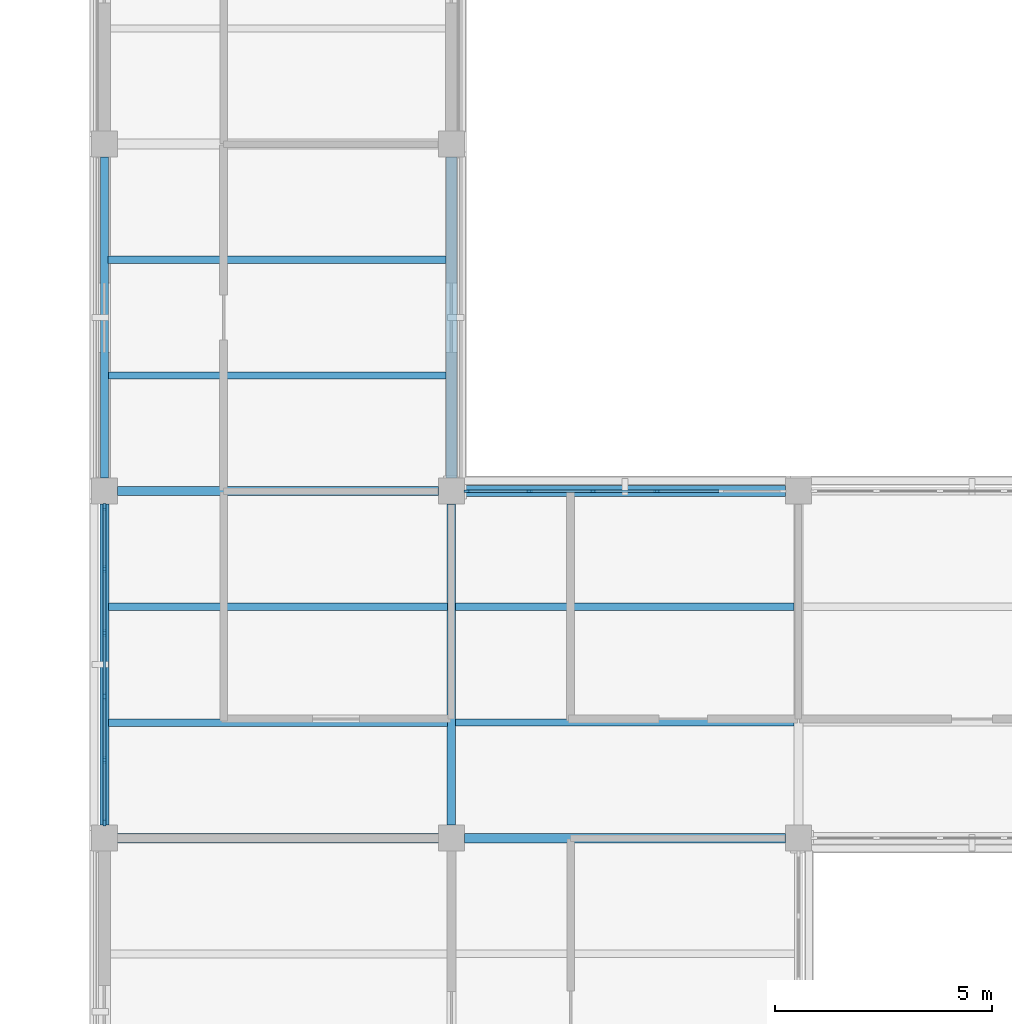
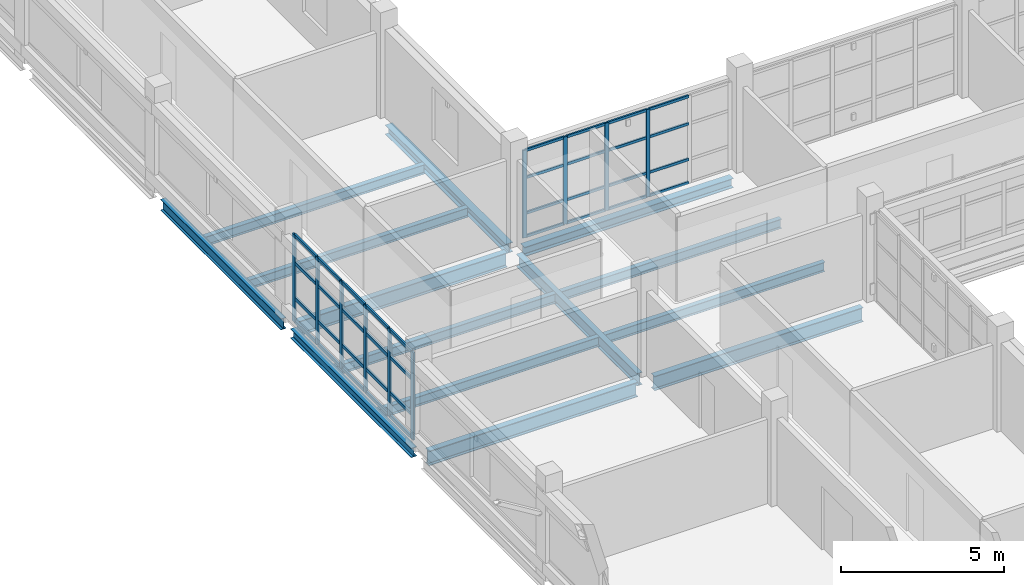
# One storey, part 14 of 126: 46 members, 14 beams, 2 elements without a shape of their own.
"""IFC4 building model written with IfcOpenShell, lengths in metres."""

from ifc_helpers import new_model, si_unit, derived_unit, direction, frame, origin, origin_2d, place, context, subcontext, project, spatial, rectangle, i_section, extrude, material, layer, layer_set, material_profile, profile_set, type_object, element, aggregate, save


model = new_model("IFC4")

# Units and contexts
model_context = context("Model", 3, precision=1e-05, world=origin(), true_north=direction((0.0, 1.0)))
body_context = subcontext(model_context, "Body", "Model", "MODEL_VIEW")
ifc_project = project(units=[si_unit("LENGTHUNIT", "METRE"), si_unit("AREAUNIT", "SQUARE_METRE"), si_unit("VOLUMEUNIT", "CUBIC_METRE"), si_unit("PLANEANGLEUNIT", "RADIAN"), si_unit("MASSUNIT", "GRAM", prefix="KILO"), derived_unit("THERMALTRANSMITTANCEUNIT", [(si_unit("MASSUNIT", "GRAM", prefix="KILO"), 1), (si_unit("TIMEUNIT", "SECOND"), -3), (si_unit("THERMODYNAMICTEMPERATUREUNIT", "KELVIN"), -1)])], contexts=[model_context])

# Site, building, storey
site_placement = place(None, origin())
site = spatial("IfcSite", under=ifc_project, at=site_placement, CompositionType="ELEMENT")
building_placement = place(site_placement, origin())
building = spatial("IfcBuilding", under=site, at=building_placement, Name="Veyamyaing Civic Hall", CompositionType="ELEMENT")
storey_placement = place(building_placement, frame((0.0, 0.0, 9.89990234375)))
storey = spatial("IfcBuildingStorey", under=building, at=storey_placement, Name="L02", CompositionType="ELEMENT", Elevation=9.89990234375)

# Beams
ifc_material_1 = material(Name="Steel ASTM A992", Category="steel")
ifc_material_profile_1 = material_profile(ifc_material_1, i_section(OverallWidth=0.2041015625, OverallDepth=0.35009765625, WebThickness=0.0078125, FlangeThickness=0.01513671875, FilletRadius=0.010009765625, at=origin_2d()), Name="W360X72")
ifc_profile_set_1 = profile_set([ifc_material_profile_1], Name="Steel ASTM A992")
beam_type_1 = type_object("IfcBeamType", Name="B-11", PredefinedType="SPANDREL", material=ifc_profile_set_1)
beam_1_placement = place(storey_placement, frame((0.0, 48.300048828125, -0.4599609375), z_axis=(0.0, 1.0, 0.0), x_axis=(-1.0, 0.0, 0.0)))
element("IfcBeam", 1, at=beam_1_placement, inside=storey, type_object=beam_type_1, Name="Girder B-11 L02 Grid 1 G-H", PredefinedType="SPANDREL", context=body_context, shape_type="SweptSolid", body=[
    extrude(i_section(OverallWidth=0.2041015625, OverallDepth=0.35009765625, WebThickness=0.0078125, FlangeThickness=0.01513671875, FilletRadius=0.010009765625, at=origin_2d()), origin(), (0.0, 0.0, 1.0), 7.39990234375),
])
ifc_material_profile_2 = material_profile(ifc_material_1, i_section(OverallWidth=0.214111328125, OverallDepth=0.549072265625, WebThickness=0.0146484375, FlangeThickness=0.023681640625, FilletRadius=0.011962890625, at=origin_2d()), Name="W530X138")
ifc_profile_set_2 = profile_set([ifc_material_profile_2], Name="Steel ASTM A992")
beam_type_2 = type_object("IfcBeamType", Name="B-16", PredefinedType="BEAM", material=ifc_profile_set_2)
beam_2_placement = place(storey_placement, frame((0.300048828125, 48.0, -0.559326171875), z_axis=(1.0, 0.0, 0.0), x_axis=(0.0, 1.0, 0.0)))
element("IfcBeam", 2, at=beam_2_placement, inside=storey, type_object=beam_type_2, Name="Girder B-16 L02 Grid G 1-2", PredefinedType="BEAM", context=body_context, shape_type="SweptSolid", body=[
    extrude(i_section(OverallWidth=0.214111328125, OverallDepth=0.549072265625, WebThickness=0.0146484375, FlangeThickness=0.023681640625, FilletRadius=0.011962890625, at=origin_2d()), origin(), (0.0, 0.0, 1.0), 7.39990234375),
])
ifc_material_profile_3 = material_profile(ifc_material_1, i_section(OverallWidth=0.2109375, OverallDepth=0.5390625, WebThickness=0.01171875, FlangeThickness=0.018798828125, FilletRadius=0.011962890625, at=origin_2d()), Name="W530X109")
ifc_profile_set_3 = profile_set([ifc_material_profile_3], Name="Steel ASTM A992")
beam_type_3 = type_object("IfcBeamType", Name="B-17", PredefinedType="BEAM", material=ifc_profile_set_3)
for number, where, z_axis, x_axis, name in (
    (3, (8.300048828125, 48.0, -0.554443359375), (1.0, 0.0, 0.0), (0.0, 1.0, 0.0), "Girder B-17 L02 Grid G 2-3"),
    (4, (0.300048828125, 56.0, -0.554443359375), (1.0, 0.0, 0.0), (0.0, 1.0, 0.0), "Girder B-17 L02 Grid H 1-2"),
):
    element("IfcBeam", number, at=place(storey_placement, frame(where, z_axis=z_axis, x_axis=x_axis)), inside=storey, type_object=beam_type_3, Name=name, PredefinedType="BEAM", context=body_context, shape_type="SweptSolid", body=[
        extrude(i_section(OverallWidth=0.2109375, OverallDepth=0.5390625, WebThickness=0.01171875, FlangeThickness=0.018798828125, FilletRadius=0.011962890625, at=origin_2d()), origin(), (0.0, 0.0, 1.0), 7.39990234375),
    ])
ifc_material_profile_4 = material_profile(ifc_material_1, i_section(OverallWidth=0.194091796875, OverallDepth=0.468994140625, WebThickness=0.0126953125, FlangeThickness=0.0205078125, FilletRadius=0.010009765625, at=origin_2d()), Name="W460X106")
ifc_profile_set_4 = profile_set([ifc_material_profile_4], Name="Steel ASTM A992")
beam_type_4 = type_object("IfcBeamType", Name="B-18", PredefinedType="BEAM", material=ifc_profile_set_4)
beam_3_placement = place(storey_placement, frame((8.0, 48.300048828125, -0.519287109375), z_axis=(0.0, 1.0, 0.0), x_axis=(-1.0, 0.0, 0.0)))
element("IfcBeam", 5, at=beam_3_placement, inside=storey, type_object=beam_type_4, Name="Girder B-18 L02 Grid 2 G-H", PredefinedType="BEAM", context=body_context, shape_type="SweptSolid", body=[
    extrude(i_section(OverallWidth=0.194091796875, OverallDepth=0.468994140625, WebThickness=0.0126953125, FlangeThickness=0.0205078125, FilletRadius=0.010009765625, at=origin_2d()), origin(), (0.0, 0.0, 1.0), 7.39990234375),
])
ifc_material_profile_5 = material_profile(ifc_material_1, i_section(OverallWidth=0.180908203125, OverallDepth=0.4169921875, WebThickness=0.010986328125, FlangeThickness=0.018310546875, FilletRadius=0.010009765625, at=origin_2d()), Name="W410X85")
ifc_profile_set_5 = profile_set([ifc_material_profile_5], Name="Steel ASTM A992")
beam_type_5 = type_object("IfcBeamType", Name="B-19", PredefinedType="SPANDREL", material=ifc_profile_set_5)
beam_4_placement = place(storey_placement, frame((0.0, 56.300048828125, -0.493408203125), z_axis=(0.0, 1.0, 0.0), x_axis=(-1.0, 0.0, 0.0)))
element("IfcBeam", 6, at=beam_4_placement, inside=storey, type_object=beam_type_5, Name="Girder B-19 L02 Grid 1 H-J", PredefinedType="SPANDREL", context=body_context, shape_type="SweptSolid", body=[
    extrude(i_section(OverallWidth=0.180908203125, OverallDepth=0.4169921875, WebThickness=0.010986328125, FlangeThickness=0.018310546875, FilletRadius=0.010009765625, at=origin_2d()), origin(), (0.0, 0.0, 1.0), 7.39990234375),
])
ifc_material_profile_6 = material_profile(ifc_material_1, i_section(OverallWidth=0.25390625, OverallDepth=0.35302734375, WebThickness=0.009521484375, FlangeThickness=0.016357421875, FilletRadius=0.011962890625, at=origin_2d()), Name="W360X91")
ifc_profile_set_6 = profile_set([ifc_material_profile_6], Name="Steel ASTM A992")
beam_type_6 = type_object("IfcBeamType", Name="B-20", PredefinedType="SPANDREL", material=ifc_profile_set_6)
for number, where, z_axis, x_axis, name in (
    (7, (8.300048828125, 56.0, -0.46142578125), (1.0, 0.0, 0.0), (0.0, 1.0, 0.0), "Girder B-20 L02 Grid H 2-3"),
    (8, (8.0, 56.300048828125, -0.46142578125), (0.0, 1.0, 0.0), (-1.0, 0.0, 0.0), "Girder B-20 L02 Grid 2 H-J"),
):
    element("IfcBeam", number, at=place(storey_placement, frame(where, z_axis=z_axis, x_axis=x_axis)), inside=storey, type_object=beam_type_6, Name=name, PredefinedType="SPANDREL", context=body_context, shape_type="SweptSolid", body=[
        extrude(i_section(OverallWidth=0.25390625, OverallDepth=0.35302734375, WebThickness=0.009521484375, FlangeThickness=0.016357421875, FilletRadius=0.011962890625, at=origin_2d()), origin(), (0.0, 0.0, 1.0), 7.39990234375),
    ])

# Curtain wall, members
ifc_material_2 = material(Name="Anodised aluminium 6063-T6", Category="aluminium")
ifc_layer_1 = layer(ifc_material_2, 0.159912109375, Name="Anodised aluminium 6063-T6")
ifc_layer_set_1 = layer_set([ifc_layer_1], Name="Anodised aluminium 6063-T6")
curtain_wall_type_1 = type_object("IfcCurtainWallType", Name="CW-03", PredefinedType="NOTDEFINED", material=ifc_layer_set_1)
curtain_wall_1_placement = place(storey_placement, origin())
curtain_wall_1 = element("IfcCurtainWall", 9, at=curtain_wall_1_placement, inside=storey, type_object=curtain_wall_type_1, Name="Unitized curtain wall CW-03 L02 W 1.7", PredefinedType="NOTDEFINED")
ifc_material_profile_7 = material_profile(ifc_material_2, rectangle(XDim=0.06494140625, YDim=0.159912109375, at=origin_2d()), Name="ALU-MUL-65X160")
ifc_profile_set_7 = profile_set([ifc_material_profile_7], Name="Anodised aluminium 6063-T6")
member_type_1 = type_object("IfcMemberType", Name="CWM-01", PredefinedType="MULLION", material=ifc_profile_set_7)
member_1_placement = place(storey_placement, frame((0.0, 48.362548828125, 0.0), z_axis=(0.0, 0.0, 1.0), x_axis=(-1.0, 0.0, 0.0)))
member_1 = element("IfcMember", 10, at=member_1_placement, type_object=member_type_1, Name="CW-03 mullion 1", PredefinedType="MULLION", context=body_context, shape_type="SweptSolid", body=[
    extrude(rectangle(XDim=0.06494140625, YDim=0.159912109375, at=origin_2d()), origin(), (0.0, 0.0, 1.0), 3.280029296875),
])
member_2_placement = place(storey_placement, frame((0.0, 49.798095703125, 0.0), z_axis=(0.0, 0.0, 1.0), x_axis=(-1.0, 0.0, 0.0)))
member_2 = element("IfcMember", 11, at=member_2_placement, type_object=member_type_1, Name="CW-03 mullion 2", PredefinedType="MULLION", context=body_context, shape_type="SweptSolid", body=[
    extrude(rectangle(XDim=0.06494140625, YDim=0.159912109375, at=origin_2d()), origin(), (0.0, 0.0, 1.0), 3.280029296875),
])
member_3_placement = place(storey_placement, frame((0.0, 51.26611328125, 0.0), z_axis=(0.0, 0.0, 1.0), x_axis=(-1.0, 0.0, 0.0)))
member_3 = element("IfcMember", 12, at=member_3_placement, type_object=member_type_1, Name="CW-03 mullion 3", PredefinedType="MULLION", context=body_context, shape_type="SweptSolid", body=[
    extrude(rectangle(XDim=0.06494140625, YDim=0.159912109375, at=origin_2d()), origin(), (0.0, 0.0, 1.0), 3.280029296875),
])
member_4_placement = place(storey_placement, frame((0.0, 52.73388671875, 0.0), z_axis=(0.0, 0.0, 1.0), x_axis=(-1.0, 0.0, 0.0)))
member_4 = element("IfcMember", 13, at=member_4_placement, type_object=member_type_1, Name="CW-03 mullion 4", PredefinedType="MULLION", context=body_context, shape_type="SweptSolid", body=[
    extrude(rectangle(XDim=0.06494140625, YDim=0.159912109375, at=origin_2d()), origin(), (0.0, 0.0, 1.0), 3.280029296875),
])
member_5_placement = place(storey_placement, frame((0.0, 54.201904296875, 0.0), z_axis=(0.0, 0.0, 1.0), x_axis=(-1.0, 0.0, 0.0)))
member_5 = element("IfcMember", 14, at=member_5_placement, type_object=member_type_1, Name="CW-03 mullion 5", PredefinedType="MULLION", context=body_context, shape_type="SweptSolid", body=[
    extrude(rectangle(XDim=0.06494140625, YDim=0.159912109375, at=origin_2d()), origin(), (0.0, 0.0, 1.0), 3.280029296875),
])
member_6_placement = place(storey_placement, frame((0.0, 55.637451171875, 0.0), z_axis=(0.0, 0.0, 1.0), x_axis=(-1.0, 0.0, 0.0)))
member_6 = element("IfcMember", 15, at=member_6_placement, type_object=member_type_1, Name="CW-03 mullion 6", PredefinedType="MULLION", context=body_context, shape_type="SweptSolid", body=[
    extrude(rectangle(XDim=0.06494140625, YDim=0.159912109375, at=origin_2d()), origin(), (0.0, 0.0, 1.0), 3.280029296875),
])

ifc_layer_2 = layer(ifc_material_2, 0.139892578125, Name="Anodised aluminium 6063-T6")
ifc_layer_set_2 = layer_set([ifc_layer_2], Name="Anodised aluminium 6063-T6")
curtain_wall_type_2 = type_object("IfcCurtainWallType", Name="CW-04", PredefinedType="NOTDEFINED", material=ifc_layer_set_2)
curtain_wall_2_placement = place(storey_placement, origin())
curtain_wall_2 = element("IfcCurtainWall", 16, at=curtain_wall_2_placement, inside=storey, type_object=curtain_wall_type_2, Name="Unitized curtain wall CW-04 L02 N 2.7", PredefinedType="NOTDEFINED")
ifc_material_profile_8 = material_profile(ifc_material_2, rectangle(XDim=0.06005859375, YDim=0.139892578125, at=origin_2d()), Name="ALU-MUL-60X140")
ifc_profile_set_8 = profile_set([ifc_material_profile_8], Name="Anodised aluminium 6063-T6")
member_type_2 = type_object("IfcMemberType", Name="CWM-03", PredefinedType="MULLION", material=ifc_profile_set_8)
member_7_placement = place(storey_placement, frame((8.360107421875, 56.0, 0.0), z_axis=(0.0, 0.0, 1.0), x_axis=(0.0, 1.0, 0.0)))
member_7 = element("IfcMember", 17, at=member_7_placement, type_object=member_type_2, Name="CW-04 mullion 1", PredefinedType="MULLION", context=body_context, shape_type="SweptSolid", body=[
    extrude(rectangle(XDim=0.06005859375, YDim=0.139892578125, at=origin_2d()), origin(), (0.0, 0.0, 1.0), 3.2841796875),
])
member_8_placement = place(storey_placement, frame((9.798095703125, 56.0, 0.0), z_axis=(0.0, 0.0, 1.0), x_axis=(0.0, 1.0, 0.0)))
member_8 = element("IfcMember", 18, at=member_8_placement, type_object=member_type_2, Name="CW-04 mullion 2", PredefinedType="MULLION", context=body_context, shape_type="SweptSolid", body=[
    extrude(rectangle(XDim=0.06005859375, YDim=0.139892578125, at=origin_2d()), origin(), (0.0, 0.0, 1.0), 3.2841796875),
])
member_9_placement = place(storey_placement, frame((11.26611328125, 56.0, 0.0), z_axis=(0.0, 0.0, 1.0), x_axis=(0.0, 1.0, 0.0)))
member_9 = element("IfcMember", 19, at=member_9_placement, type_object=member_type_2, Name="CW-04 mullion 3", PredefinedType="MULLION", context=body_context, shape_type="SweptSolid", body=[
    extrude(rectangle(XDim=0.06005859375, YDim=0.139892578125, at=origin_2d()), origin(), (0.0, 0.0, 1.0), 3.2841796875),
])
member_10_placement = place(storey_placement, frame((12.73388671875, 56.0, 0.0), z_axis=(0.0, 0.0, 1.0), x_axis=(0.0, 1.0, 0.0)))
member_10 = element("IfcMember", 20, at=member_10_placement, type_object=member_type_2, Name="CW-04 mullion 4", PredefinedType="MULLION", context=body_context, shape_type="SweptSolid", body=[
    extrude(rectangle(XDim=0.06005859375, YDim=0.139892578125, at=origin_2d()), origin(), (0.0, 0.0, 1.0), 3.2841796875),
])

# Member
ifc_material_profile_9 = material_profile(ifc_material_2, rectangle(XDim=0.06494140625, YDim=0.1201171875, at=origin_2d()), Name="ALU-TRN-65X120")
ifc_profile_set_9 = profile_set([ifc_material_profile_9], Name="Anodised aluminium 6063-T6")
member_type_3 = type_object("IfcMemberType", Name="CWT-01", PredefinedType="USERDEFINED", material=ifc_profile_set_9)
member_11_placement = place(storey_placement, frame((0.0, 48.39501953125, 0.03271484375), z_axis=(0.0, 1.0, 0.0), x_axis=(-1.0, 0.0, 0.0)))
member_11 = element("IfcMember", 21, at=member_11_placement, type_object=member_type_3, Name="CW-03 transom 1.1", ObjectType="TRANSOM", PredefinedType="USERDEFINED", context=body_context, shape_type="SweptSolid", body=[
    extrude(rectangle(XDim=0.06494140625, YDim=0.1201171875, at=origin_2d()), origin(), (0.0, 0.0, 1.0), 1.370361328125),
])

member_12_placement = place(storey_placement, frame((0.0, 48.39501953125, 0.900146484375), z_axis=(0.0, 1.0, 0.0), x_axis=(-1.0, 0.0, 0.0)))
member_12 = element("IfcMember", 22, at=member_12_placement, type_object=member_type_3, Name="CW-03 transom 1.2", ObjectType="TRANSOM", PredefinedType="USERDEFINED", context=body_context, shape_type="SweptSolid", body=[
    extrude(rectangle(XDim=0.06494140625, YDim=0.1201171875, at=origin_2d()), origin(), (0.0, 0.0, 1.0), 1.370361328125),
])

member_13_placement = place(storey_placement, frame((0.0, 48.39501953125, 2.23046875), z_axis=(0.0, 1.0, 0.0), x_axis=(-1.0, 0.0, 0.0)))
member_13 = element("IfcMember", 23, at=member_13_placement, type_object=member_type_3, Name="CW-03 transom 1.3", ObjectType="TRANSOM", PredefinedType="USERDEFINED", context=body_context, shape_type="SweptSolid", body=[
    extrude(rectangle(XDim=0.06494140625, YDim=0.1201171875, at=origin_2d()), origin(), (0.0, 0.0, 1.0), 1.370361328125),
])

member_14_placement = place(storey_placement, frame((0.0, 48.39501953125, 3.24755859375), z_axis=(0.0, 1.0, 0.0), x_axis=(-1.0, 0.0, 0.0)))
member_14 = element("IfcMember", 24, at=member_14_placement, type_object=member_type_3, Name="CW-03 transom 1.4", ObjectType="TRANSOM", PredefinedType="USERDEFINED", context=body_context, shape_type="SweptSolid", body=[
    extrude(rectangle(XDim=0.06494140625, YDim=0.1201171875, at=origin_2d()), origin(), (0.0, 0.0, 1.0), 1.370361328125),
])

member_15_placement = place(storey_placement, frame((0.0, 49.83056640625, 0.03271484375), z_axis=(0.0, 1.0, 0.0), x_axis=(-1.0, 0.0, 0.0)))
member_15 = element("IfcMember", 25, at=member_15_placement, type_object=member_type_3, Name="CW-03 transom 2.1", ObjectType="TRANSOM", PredefinedType="USERDEFINED", context=body_context, shape_type="SweptSolid", body=[
    extrude(rectangle(XDim=0.06494140625, YDim=0.1201171875, at=origin_2d()), origin(), (0.0, 0.0, 1.0), 1.40283203125),
])

member_16_placement = place(storey_placement, frame((0.0, 49.83056640625, 0.900146484375), z_axis=(0.0, 1.0, 0.0), x_axis=(-1.0, 0.0, 0.0)))
member_16 = element("IfcMember", 26, at=member_16_placement, type_object=member_type_3, Name="CW-03 transom 2.2", ObjectType="TRANSOM", PredefinedType="USERDEFINED", context=body_context, shape_type="SweptSolid", body=[
    extrude(rectangle(XDim=0.06494140625, YDim=0.1201171875, at=origin_2d()), origin(), (0.0, 0.0, 1.0), 1.40283203125),
])

member_17_placement = place(storey_placement, frame((0.0, 49.83056640625, 2.23046875), z_axis=(0.0, 1.0, 0.0), x_axis=(-1.0, 0.0, 0.0)))
member_17 = element("IfcMember", 27, at=member_17_placement, type_object=member_type_3, Name="CW-03 transom 2.3", ObjectType="TRANSOM", PredefinedType="USERDEFINED", context=body_context, shape_type="SweptSolid", body=[
    extrude(rectangle(XDim=0.06494140625, YDim=0.1201171875, at=origin_2d()), origin(), (0.0, 0.0, 1.0), 1.40283203125),
])

member_18_placement = place(storey_placement, frame((0.0, 49.83056640625, 3.24755859375), z_axis=(0.0, 1.0, 0.0), x_axis=(-1.0, 0.0, 0.0)))
member_18 = element("IfcMember", 28, at=member_18_placement, type_object=member_type_3, Name="CW-03 transom 2.4", ObjectType="TRANSOM", PredefinedType="USERDEFINED", context=body_context, shape_type="SweptSolid", body=[
    extrude(rectangle(XDim=0.06494140625, YDim=0.1201171875, at=origin_2d()), origin(), (0.0, 0.0, 1.0), 1.40283203125),
])

member_19_placement = place(storey_placement, frame((0.0, 51.298583984375, 0.03271484375), z_axis=(0.0, 1.0, 0.0), x_axis=(-1.0, 0.0, 0.0)))
member_19 = element("IfcMember", 29, at=member_19_placement, type_object=member_type_3, Name="CW-03 transom 3.1", ObjectType="TRANSOM", PredefinedType="USERDEFINED", context=body_context, shape_type="SweptSolid", body=[
    extrude(rectangle(XDim=0.06494140625, YDim=0.1201171875, at=origin_2d()), origin(), (0.0, 0.0, 1.0), 1.40283203125),
])

member_20_placement = place(storey_placement, frame((0.0, 51.298583984375, 0.900146484375), z_axis=(0.0, 1.0, 0.0), x_axis=(-1.0, 0.0, 0.0)))
member_20 = element("IfcMember", 30, at=member_20_placement, type_object=member_type_3, Name="CW-03 transom 3.2", ObjectType="TRANSOM", PredefinedType="USERDEFINED", context=body_context, shape_type="SweptSolid", body=[
    extrude(rectangle(XDim=0.06494140625, YDim=0.1201171875, at=origin_2d()), origin(), (0.0, 0.0, 1.0), 1.40283203125),
])

member_21_placement = place(storey_placement, frame((0.0, 51.298583984375, 2.23046875), z_axis=(0.0, 1.0, 0.0), x_axis=(-1.0, 0.0, 0.0)))
member_21 = element("IfcMember", 31, at=member_21_placement, type_object=member_type_3, Name="CW-03 transom 3.3", ObjectType="TRANSOM", PredefinedType="USERDEFINED", context=body_context, shape_type="SweptSolid", body=[
    extrude(rectangle(XDim=0.06494140625, YDim=0.1201171875, at=origin_2d()), origin(), (0.0, 0.0, 1.0), 1.40283203125),
])

member_22_placement = place(storey_placement, frame((0.0, 51.298583984375, 3.24755859375), z_axis=(0.0, 1.0, 0.0), x_axis=(-1.0, 0.0, 0.0)))
member_22 = element("IfcMember", 32, at=member_22_placement, type_object=member_type_3, Name="CW-03 transom 3.4", ObjectType="TRANSOM", PredefinedType="USERDEFINED", context=body_context, shape_type="SweptSolid", body=[
    extrude(rectangle(XDim=0.06494140625, YDim=0.1201171875, at=origin_2d()), origin(), (0.0, 0.0, 1.0), 1.40283203125),
])

member_23_placement = place(storey_placement, frame((0.0, 52.7666015625, 0.03271484375), z_axis=(0.0, 1.0, 0.0), x_axis=(-1.0, 0.0, 0.0)))
member_23 = element("IfcMember", 33, at=member_23_placement, type_object=member_type_3, Name="CW-03 transom 4.1", ObjectType="TRANSOM", PredefinedType="USERDEFINED", context=body_context, shape_type="SweptSolid", body=[
    extrude(rectangle(XDim=0.06494140625, YDim=0.1201171875, at=origin_2d()), origin(), (0.0, 0.0, 1.0), 1.40283203125),
])

member_24_placement = place(storey_placement, frame((0.0, 52.7666015625, 0.900146484375), z_axis=(0.0, 1.0, 0.0), x_axis=(-1.0, 0.0, 0.0)))
member_24 = element("IfcMember", 34, at=member_24_placement, type_object=member_type_3, Name="CW-03 transom 4.2", ObjectType="TRANSOM", PredefinedType="USERDEFINED", context=body_context, shape_type="SweptSolid", body=[
    extrude(rectangle(XDim=0.06494140625, YDim=0.1201171875, at=origin_2d()), origin(), (0.0, 0.0, 1.0), 1.40283203125),
])

member_25_placement = place(storey_placement, frame((0.0, 52.7666015625, 2.23046875), z_axis=(0.0, 1.0, 0.0), x_axis=(-1.0, 0.0, 0.0)))
member_25 = element("IfcMember", 35, at=member_25_placement, type_object=member_type_3, Name="CW-03 transom 4.3", ObjectType="TRANSOM", PredefinedType="USERDEFINED", context=body_context, shape_type="SweptSolid", body=[
    extrude(rectangle(XDim=0.06494140625, YDim=0.1201171875, at=origin_2d()), origin(), (0.0, 0.0, 1.0), 1.40283203125),
])

member_26_placement = place(storey_placement, frame((0.0, 52.7666015625, 3.24755859375), z_axis=(0.0, 1.0, 0.0), x_axis=(-1.0, 0.0, 0.0)))
member_26 = element("IfcMember", 36, at=member_26_placement, type_object=member_type_3, Name="CW-03 transom 4.4", ObjectType="TRANSOM", PredefinedType="USERDEFINED", context=body_context, shape_type="SweptSolid", body=[
    extrude(rectangle(XDim=0.06494140625, YDim=0.1201171875, at=origin_2d()), origin(), (0.0, 0.0, 1.0), 1.40283203125),
])

member_27_placement = place(storey_placement, frame((0.0, 54.234619140625, 0.03271484375), z_axis=(0.0, 1.0, 0.0), x_axis=(-1.0, 0.0, 0.0)))
member_27 = element("IfcMember", 37, at=member_27_placement, type_object=member_type_3, Name="CW-03 transom 5.1", ObjectType="TRANSOM", PredefinedType="USERDEFINED", context=body_context, shape_type="SweptSolid", body=[
    extrude(rectangle(XDim=0.06494140625, YDim=0.1201171875, at=origin_2d()), origin(), (0.0, 0.0, 1.0), 1.370361328125),
])

member_28_placement = place(storey_placement, frame((0.0, 54.234619140625, 0.900146484375), z_axis=(0.0, 1.0, 0.0), x_axis=(-1.0, 0.0, 0.0)))
member_28 = element("IfcMember", 38, at=member_28_placement, type_object=member_type_3, Name="CW-03 transom 5.2", ObjectType="TRANSOM", PredefinedType="USERDEFINED", context=body_context, shape_type="SweptSolid", body=[
    extrude(rectangle(XDim=0.06494140625, YDim=0.1201171875, at=origin_2d()), origin(), (0.0, 0.0, 1.0), 1.370361328125),
])

member_29_placement = place(storey_placement, frame((0.0, 54.234619140625, 2.23046875), z_axis=(0.0, 1.0, 0.0), x_axis=(-1.0, 0.0, 0.0)))
member_29 = element("IfcMember", 39, at=member_29_placement, type_object=member_type_3, Name="CW-03 transom 5.3", ObjectType="TRANSOM", PredefinedType="USERDEFINED", context=body_context, shape_type="SweptSolid", body=[
    extrude(rectangle(XDim=0.06494140625, YDim=0.1201171875, at=origin_2d()), origin(), (0.0, 0.0, 1.0), 1.370361328125),
])

member_30_placement = place(storey_placement, frame((0.0, 54.234619140625, 3.24755859375), z_axis=(0.0, 1.0, 0.0), x_axis=(-1.0, 0.0, 0.0)))
member_30 = element("IfcMember", 40, at=member_30_placement, type_object=member_type_3, Name="CW-03 transom 5.4", ObjectType="TRANSOM", PredefinedType="USERDEFINED", context=body_context, shape_type="SweptSolid", body=[
    extrude(rectangle(XDim=0.06494140625, YDim=0.1201171875, at=origin_2d()), origin(), (0.0, 0.0, 1.0), 1.370361328125),
])

aggregate(curtain_wall_1, [member_1, member_2, member_3, member_4, member_5, member_6, member_11, member_12, member_13, member_14, member_15, member_16, member_17, member_18, member_19, member_20, member_21, member_22, member_23, member_24, member_25, member_26, member_27, member_28, member_29, member_30])

ifc_material_profile_10 = material_profile(ifc_material_2, rectangle(XDim=0.06005859375, YDim=0.10009765625, at=origin_2d()), Name="ALU-TRN-60X100")
ifc_profile_set_10 = profile_set([ifc_material_profile_10], Name="Anodised aluminium 6063-T6")
member_type_4 = type_object("IfcMemberType", Name="CWT-03", PredefinedType="USERDEFINED", material=ifc_profile_set_10)
member_31_placement = place(storey_placement, frame((8.389892578125, 56.0, 0.030029296875), z_axis=(1.0, 0.0, 0.0), x_axis=(0.0, 1.0, 0.0)))
member_31 = element("IfcMember", 41, at=member_31_placement, type_object=member_type_4, Name="CW-04 transom 1.1", ObjectType="TRANSOM", PredefinedType="USERDEFINED", context=body_context, shape_type="SweptSolid", body=[
    extrude(rectangle(XDim=0.06005859375, YDim=0.10009765625, at=origin_2d()), origin(), (0.0, 0.0, 1.0), 1.378173828125),
])

member_32_placement = place(storey_placement, frame((8.389892578125, 56.0, 0.900146484375), z_axis=(1.0, 0.0, 0.0), x_axis=(0.0, 1.0, 0.0)))
member_32 = element("IfcMember", 42, at=member_32_placement, type_object=member_type_4, Name="CW-04 transom 1.2", ObjectType="TRANSOM", PredefinedType="USERDEFINED", context=body_context, shape_type="SweptSolid", body=[
    extrude(rectangle(XDim=0.06005859375, YDim=0.10009765625, at=origin_2d()), origin(), (0.0, 0.0, 1.0), 1.378173828125),
])

member_33_placement = place(storey_placement, frame((8.389892578125, 56.0, 2.233154296875), z_axis=(1.0, 0.0, 0.0), x_axis=(0.0, 1.0, 0.0)))
member_33 = element("IfcMember", 43, at=member_33_placement, type_object=member_type_4, Name="CW-04 transom 1.3", ObjectType="TRANSOM", PredefinedType="USERDEFINED", context=body_context, shape_type="SweptSolid", body=[
    extrude(rectangle(XDim=0.06005859375, YDim=0.10009765625, at=origin_2d()), origin(), (0.0, 0.0, 1.0), 1.378173828125),
])

member_34_placement = place(storey_placement, frame((8.389892578125, 56.0, 3.254150390625), z_axis=(1.0, 0.0, 0.0), x_axis=(0.0, 1.0, 0.0)))
member_34 = element("IfcMember", 44, at=member_34_placement, type_object=member_type_4, Name="CW-04 transom 1.4", ObjectType="TRANSOM", PredefinedType="USERDEFINED", context=body_context, shape_type="SweptSolid", body=[
    extrude(rectangle(XDim=0.06005859375, YDim=0.10009765625, at=origin_2d()), origin(), (0.0, 0.0, 1.0), 1.378173828125),
])

member_35_placement = place(storey_placement, frame((9.827880859375, 56.0, 0.030029296875), z_axis=(1.0, 0.0, 0.0), x_axis=(0.0, 1.0, 0.0)))
member_35 = element("IfcMember", 45, at=member_35_placement, type_object=member_type_4, Name="CW-04 transom 2.1", ObjectType="TRANSOM", PredefinedType="USERDEFINED", context=body_context, shape_type="SweptSolid", body=[
    extrude(rectangle(XDim=0.06005859375, YDim=0.10009765625, at=origin_2d()), origin(), (0.0, 0.0, 1.0), 1.408203125),
])

member_36_placement = place(storey_placement, frame((9.827880859375, 56.0, 0.900146484375), z_axis=(1.0, 0.0, 0.0), x_axis=(0.0, 1.0, 0.0)))
member_36 = element("IfcMember", 46, at=member_36_placement, type_object=member_type_4, Name="CW-04 transom 2.2", ObjectType="TRANSOM", PredefinedType="USERDEFINED", context=body_context, shape_type="SweptSolid", body=[
    extrude(rectangle(XDim=0.06005859375, YDim=0.10009765625, at=origin_2d()), origin(), (0.0, 0.0, 1.0), 1.408203125),
])

member_37_placement = place(storey_placement, frame((9.827880859375, 56.0, 2.233154296875), z_axis=(1.0, 0.0, 0.0), x_axis=(0.0, 1.0, 0.0)))
member_37 = element("IfcMember", 47, at=member_37_placement, type_object=member_type_4, Name="CW-04 transom 2.3", ObjectType="TRANSOM", PredefinedType="USERDEFINED", context=body_context, shape_type="SweptSolid", body=[
    extrude(rectangle(XDim=0.06005859375, YDim=0.10009765625, at=origin_2d()), origin(), (0.0, 0.0, 1.0), 1.408203125),
])

member_38_placement = place(storey_placement, frame((9.827880859375, 56.0, 3.254150390625), z_axis=(1.0, 0.0, 0.0), x_axis=(0.0, 1.0, 0.0)))
member_38 = element("IfcMember", 48, at=member_38_placement, type_object=member_type_4, Name="CW-04 transom 2.4", ObjectType="TRANSOM", PredefinedType="USERDEFINED", context=body_context, shape_type="SweptSolid", body=[
    extrude(rectangle(XDim=0.06005859375, YDim=0.10009765625, at=origin_2d()), origin(), (0.0, 0.0, 1.0), 1.408203125),
])

member_39_placement = place(storey_placement, frame((11.2958984375, 56.0, 0.030029296875), z_axis=(1.0, 0.0, 0.0), x_axis=(0.0, 1.0, 0.0)))
member_39 = element("IfcMember", 49, at=member_39_placement, type_object=member_type_4, Name="CW-04 transom 3.1", ObjectType="TRANSOM", PredefinedType="USERDEFINED", context=body_context, shape_type="SweptSolid", body=[
    extrude(rectangle(XDim=0.06005859375, YDim=0.10009765625, at=origin_2d()), origin(), (0.0, 0.0, 1.0), 1.408203125),
])

member_40_placement = place(storey_placement, frame((11.2958984375, 56.0, 0.900146484375), z_axis=(1.0, 0.0, 0.0), x_axis=(0.0, 1.0, 0.0)))
member_40 = element("IfcMember", 50, at=member_40_placement, type_object=member_type_4, Name="CW-04 transom 3.2", ObjectType="TRANSOM", PredefinedType="USERDEFINED", context=body_context, shape_type="SweptSolid", body=[
    extrude(rectangle(XDim=0.06005859375, YDim=0.10009765625, at=origin_2d()), origin(), (0.0, 0.0, 1.0), 1.408203125),
])

member_41_placement = place(storey_placement, frame((11.2958984375, 56.0, 2.233154296875), z_axis=(1.0, 0.0, 0.0), x_axis=(0.0, 1.0, 0.0)))
member_41 = element("IfcMember", 51, at=member_41_placement, type_object=member_type_4, Name="CW-04 transom 3.3", ObjectType="TRANSOM", PredefinedType="USERDEFINED", context=body_context, shape_type="SweptSolid", body=[
    extrude(rectangle(XDim=0.06005859375, YDim=0.10009765625, at=origin_2d()), origin(), (0.0, 0.0, 1.0), 1.408203125),
])

member_42_placement = place(storey_placement, frame((11.2958984375, 56.0, 3.254150390625), z_axis=(1.0, 0.0, 0.0), x_axis=(0.0, 1.0, 0.0)))
member_42 = element("IfcMember", 52, at=member_42_placement, type_object=member_type_4, Name="CW-04 transom 3.4", ObjectType="TRANSOM", PredefinedType="USERDEFINED", context=body_context, shape_type="SweptSolid", body=[
    extrude(rectangle(XDim=0.06005859375, YDim=0.10009765625, at=origin_2d()), origin(), (0.0, 0.0, 1.0), 1.408203125),
])

member_43_placement = place(storey_placement, frame((12.763916015625, 56.0, 0.030029296875), z_axis=(1.0, 0.0, 0.0), x_axis=(0.0, 1.0, 0.0)))
member_43 = element("IfcMember", 53, at=member_43_placement, type_object=member_type_4, Name="CW-04 transom 4.1", ObjectType="TRANSOM", PredefinedType="USERDEFINED", context=body_context, shape_type="SweptSolid", body=[
    extrude(rectangle(XDim=0.06005859375, YDim=0.10009765625, at=origin_2d()), origin(), (0.0, 0.0, 1.0), 1.408203125),
])

member_44_placement = place(storey_placement, frame((12.763916015625, 56.0, 0.900146484375), z_axis=(1.0, 0.0, 0.0), x_axis=(0.0, 1.0, 0.0)))
member_44 = element("IfcMember", 54, at=member_44_placement, type_object=member_type_4, Name="CW-04 transom 4.2", ObjectType="TRANSOM", PredefinedType="USERDEFINED", context=body_context, shape_type="SweptSolid", body=[
    extrude(rectangle(XDim=0.06005859375, YDim=0.10009765625, at=origin_2d()), origin(), (0.0, 0.0, 1.0), 1.408203125),
])

member_45_placement = place(storey_placement, frame((12.763916015625, 56.0, 2.233154296875), z_axis=(1.0, 0.0, 0.0), x_axis=(0.0, 1.0, 0.0)))
member_45 = element("IfcMember", 55, at=member_45_placement, type_object=member_type_4, Name="CW-04 transom 4.3", ObjectType="TRANSOM", PredefinedType="USERDEFINED", context=body_context, shape_type="SweptSolid", body=[
    extrude(rectangle(XDim=0.06005859375, YDim=0.10009765625, at=origin_2d()), origin(), (0.0, 0.0, 1.0), 1.408203125),
])

member_46_placement = place(storey_placement, frame((12.763916015625, 56.0, 3.254150390625), z_axis=(1.0, 0.0, 0.0), x_axis=(0.0, 1.0, 0.0)))
member_46 = element("IfcMember", 56, at=member_46_placement, type_object=member_type_4, Name="CW-04 transom 4.4", ObjectType="TRANSOM", PredefinedType="USERDEFINED", context=body_context, shape_type="SweptSolid", body=[
    extrude(rectangle(XDim=0.06005859375, YDim=0.10009765625, at=origin_2d()), origin(), (0.0, 0.0, 1.0), 1.408203125),
])

aggregate(curtain_wall_2, [member_7, member_8, member_9, member_10, member_31, member_32, member_33, member_34, member_35, member_36, member_37, member_38, member_39, member_40, member_41, member_42, member_43, member_44, member_45, member_46])

# Beams
ifc_material_profile_11 = material_profile(ifc_material_1, i_section(OverallWidth=0.172119140625, OverallDepth=0.35791015625, WebThickness=0.0078125, FlangeThickness=0.01318359375, FilletRadius=0.010009765625, at=origin_2d()), Name="W360X57")
ifc_profile_set_11 = profile_set([ifc_material_profile_11], Name="Steel ASTM A992")
beam_type_7 = type_object("IfcBeamType", Name="J-02", PredefinedType="JOIST", material=ifc_profile_set_11)
for number, where, z_axis, x_axis, name in (
    (57, (0.10009765625, 50.666748046875, -0.4638671875), (1.0, 0.0, 0.0), (0.0, 1.0, 0.0), "Composite floor joist J-02 L02 1.7.1"),
    (58, (0.10009765625, 53.333251953125, -0.4638671875), (1.0, 0.0, 0.0), (0.0, 1.0, 0.0), "Composite floor joist J-02 L02 1.7.2"),
):
    element("IfcBeam", number, at=place(storey_placement, frame(where, z_axis=z_axis, x_axis=x_axis)), inside=storey, type_object=beam_type_7, Name=name, PredefinedType="JOIST", context=body_context, shape_type="SweptSolid", body=[
        extrude(i_section(OverallWidth=0.172119140625, OverallDepth=0.35791015625, WebThickness=0.0078125, FlangeThickness=0.01318359375, FilletRadius=0.010009765625, at=origin_2d()), origin(), (0.0, 0.0, 1.0), 7.804931640625),
    ])
ifc_material_profile_12 = material_profile(ifc_material_1, i_section(OverallWidth=0.1708984375, OverallDepth=0.35205078125, WebThickness=0.0068359375, FlangeThickness=0.009765625, FilletRadius=0.010009765625, at=origin_2d()), Name="W360X44")
ifc_profile_set_12 = profile_set([ifc_material_profile_12], Name="Steel ASTM A992")
beam_type_8 = type_object("IfcBeamType", Name="J-03", PredefinedType="JOIST", material=ifc_profile_set_12)
for number, where, z_axis, x_axis, name in (
    (59, (0.08837890625, 58.666748046875, -0.4609375), (1.0, 0.0, 0.0), (0.0, 1.0, 0.0), "Composite floor joist J-03 L02 1.8.1"),
    (60, (0.08837890625, 61.333251953125, -0.4609375), (1.0, 0.0, 0.0), (0.0, 1.0, 0.0), "Composite floor joist J-03 L02 1.8.2"),
):
    element("IfcBeam", number, at=place(storey_placement, frame(where, z_axis=z_axis, x_axis=x_axis)), inside=storey, type_object=beam_type_8, Name=name, PredefinedType="JOIST", context=body_context, shape_type="SweptSolid", body=[
        extrude(i_section(OverallWidth=0.1708984375, OverallDepth=0.35205078125, WebThickness=0.0068359375, FlangeThickness=0.009765625, FilletRadius=0.010009765625, at=origin_2d()), origin(), (0.0, 0.0, 1.0), 7.78662109375),
    ])
for number, where, z_axis, x_axis, name in (
    (61, (8.094970703125, 50.666748046875, -0.4609375), (1.0, 0.0, 0.0), (0.0, 1.0, 0.0), "Composite floor joist J-03 L02 2.7.1"),
    (62, (8.094970703125, 53.333251953125, -0.4609375), (1.0, 0.0, 0.0), (0.0, 1.0, 0.0), "Composite floor joist J-03 L02 2.7.2"),
):
    element("IfcBeam", number, at=place(storey_placement, frame(where, z_axis=z_axis, x_axis=x_axis)), inside=storey, type_object=beam_type_8, Name=name, PredefinedType="JOIST", context=body_context, shape_type="SweptSolid", body=[
        extrude(i_section(OverallWidth=0.1708984375, OverallDepth=0.35205078125, WebThickness=0.0068359375, FlangeThickness=0.009765625, FilletRadius=0.010009765625, at=origin_2d()), origin(), (0.0, 0.0, 1.0), 7.802490234375),
    ])

save(model, "model.ifc")
